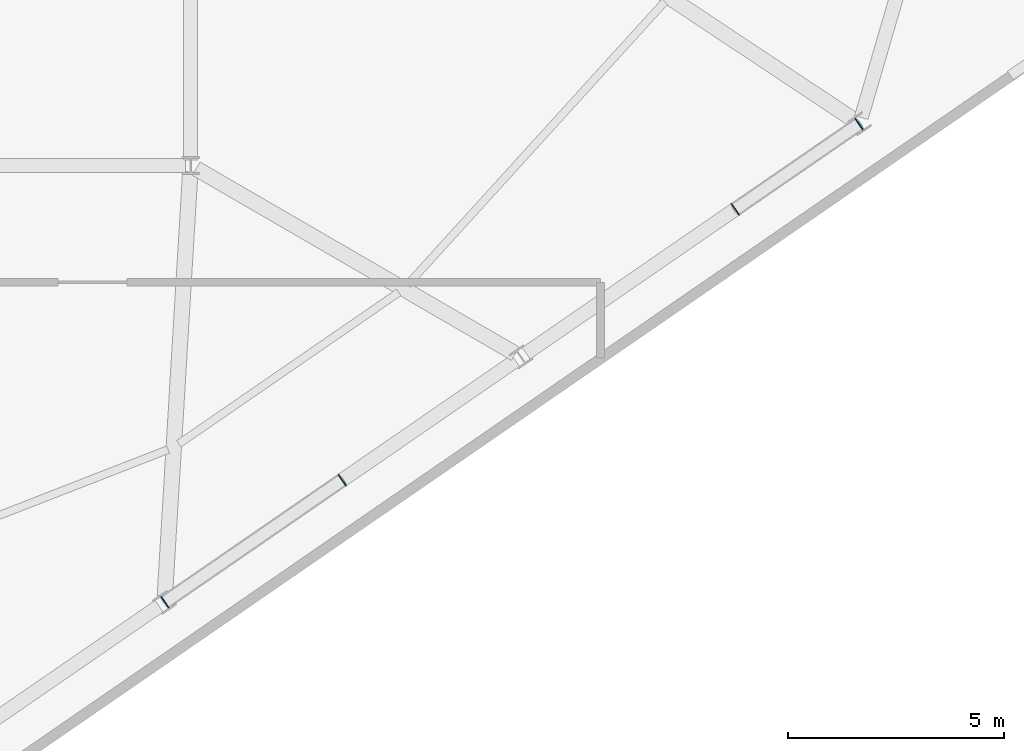
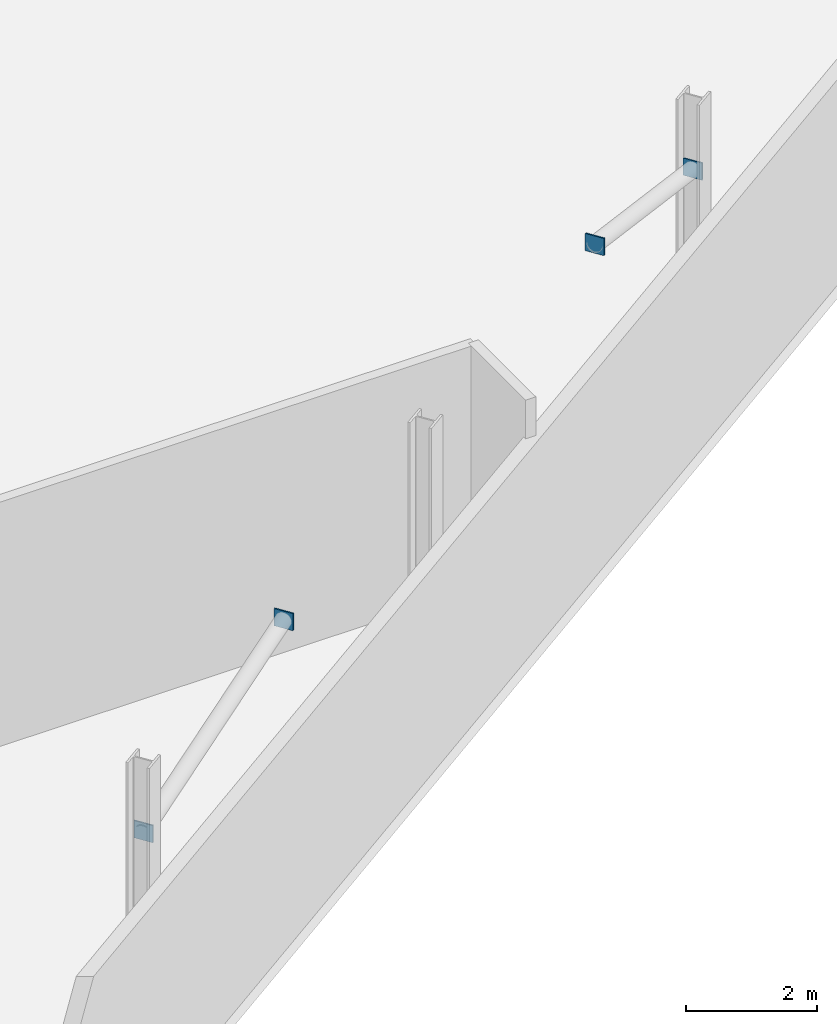
# One storey, part 5 of 10: 4 plates.
"""IFC4 building model written with IfcOpenShell, lengths in metres."""

from ifc_helpers import new_model, si_unit, direction, frame, origin, origin_2d, place, context, subcontext, project, spatial, rectangle, extrude, source, transform, mapped, material, layer, layer_set, type_object, element, save


model = new_model("IFC4")

# Units and contexts
model_context = context("Model", 3, precision=1e-05, world=origin(), true_north=direction((0.0, 1.0)))
body_context = subcontext(model_context, "Body", "Model", "MODEL_VIEW")
ifc_project = project(units=[si_unit("LENGTHUNIT", "METRE"), si_unit("AREAUNIT", "SQUARE_METRE"), si_unit("VOLUMEUNIT", "CUBIC_METRE"), si_unit("PLANEANGLEUNIT", "RADIAN"), si_unit("MASSUNIT", "GRAM", prefix="KILO")], contexts=[model_context])

# Site, building, storey
site_placement = place(None, origin())
site = spatial("IfcSite", under=ifc_project, at=site_placement, CompositionType="ELEMENT")
building_placement = place(site_placement, origin())
building = spatial("IfcBuilding", under=site, at=building_placement, Name="Varnelok Gate Tower", CompositionType="ELEMENT")
storey_placement = place(building_placement, frame((0.0, 0.0, 305.89990234375)))
storey = spatial("IfcBuildingStorey", under=building, at=storey_placement, Name="L78", CompositionType="ELEMENT", Elevation=305.89990234375)

# Plates
ifc_material = material(Name="Structural Steel ASTM A572 Grade 50", Category="steel")
ifc_layer = layer(ifc_material, 0.02490234375)
ifc_layer_set = layer_set([ifc_layer], Name="Structural Steel ASTM A572 Grade 50")
plate_type = type_object("IfcPlateType", Name="PLT-ENDCAP-25", PredefinedType="SHEET", material=ifc_layer_set)
shared_shape = source(origin(), body_context, "Body", "SweptSolid", [
    extrude(rectangle(XDim=0.02490234375, YDim=0.320068359375, at=origin_2d()), origin(), (0.0, 0.0, 1.0), 0.320068359375),
])
for number, where, z_axis, x_axis, name in (
    (1, (60.093017578125, 20.506103515625, 3.283203125), (0.0, 0.0, 1.0), (-0.823532597628, -0.567268949127, 0.0), "L78 hollow member sealed end plate 1"),
    (2, (57.232666015625, 18.53564453125, 4.0771484375), (0.0, 0.0, 1.0), (-0.823532597628, -0.567268949127, 0.0), "L78 hollow member sealed end plate 2"),
    (3, (44.056396484375, 9.45947265625, 3.2822265625), (0.0, 0.0, 1.0), (0.823522696792, 0.567283322396, 0.0), "L78 hollow member sealed end plate 1"),
    (4, (48.151611328125, 12.280517578125, 4.07763671875), (0.0, 0.0, 1.0), (0.823522696792, 0.567283322396, 0.0), "L78 hollow member sealed end plate 2"),
):
    element("IfcPlate", number, at=place(storey_placement, frame(where, z_axis=z_axis, x_axis=x_axis)), inside=storey, type_object=plate_type, Name=name, PredefinedType="SHEET", context=body_context, shape_type="MappedRepresentation", body=[
        mapped(shared_shape, transform((0.0, 0.0, 0.0), scale=1.0)),
    ])

save(model, "model.ifc")
